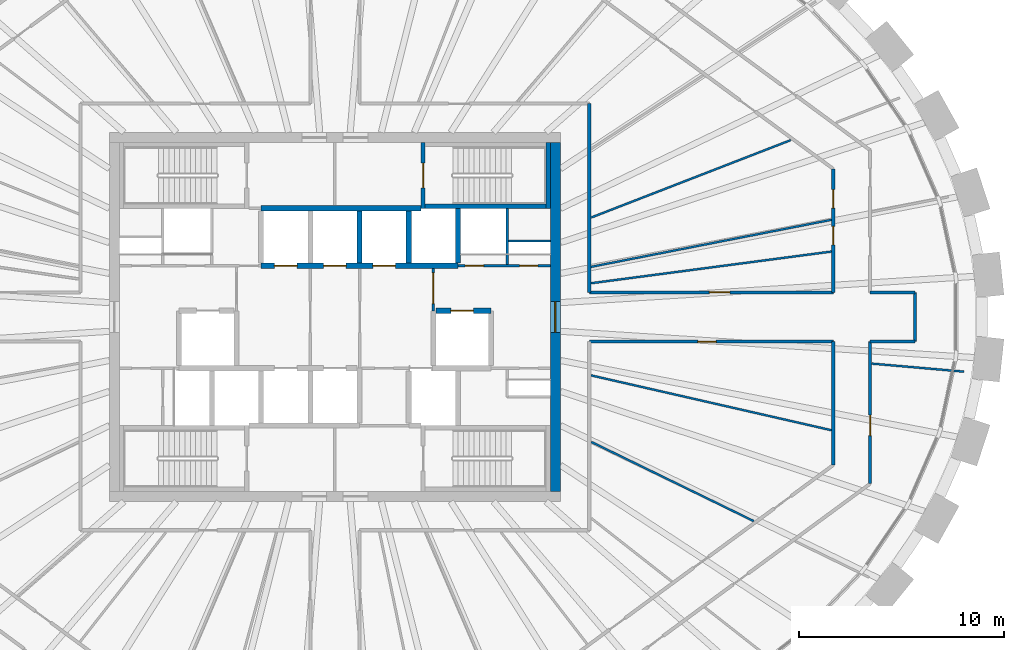
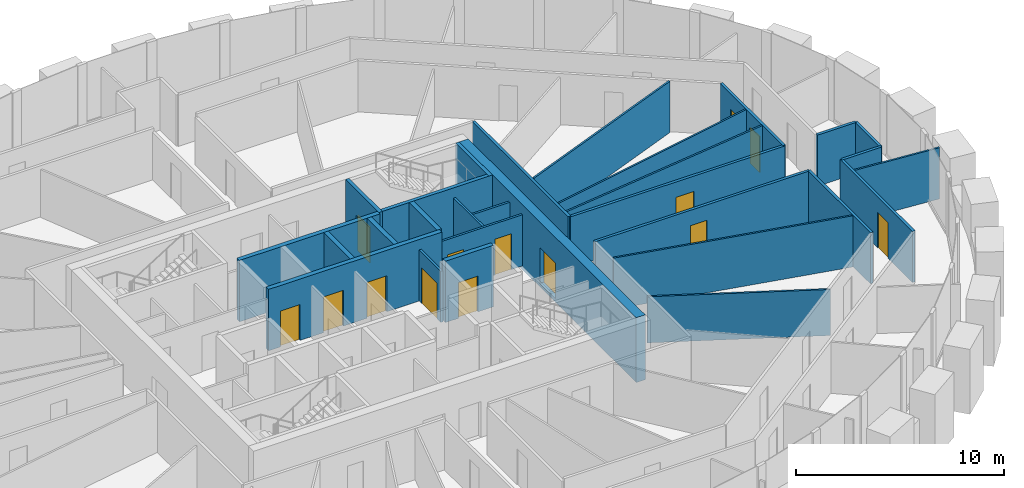
# One storey, part 9 of 12: 29 walls, 14 doors, 14 openings.
"""IFC4 building model written with IfcOpenShell, lengths in metres."""

from ifc_helpers import new_model, si_unit, direction, frame, frame_2d, origin, place, context, subcontext, project, spatial, rectangle, extrude, source, transform, mapped, material, layer, layer_set, type_object, element, fill, save


model = new_model("IFC4")

# Units and contexts
model_context = context("Model", 3, precision=1e-05, world=origin(), true_north=direction((0.0, 1.0)))
body_context = subcontext(model_context, "Body", "Model", "MODEL_VIEW")
ifc_project = project(units=[si_unit("LENGTHUNIT", "METRE"), si_unit("AREAUNIT", "SQUARE_METRE"), si_unit("VOLUMEUNIT", "CUBIC_METRE"), si_unit("PLANEANGLEUNIT", "RADIAN"), si_unit("MASSUNIT", "GRAM", prefix="KILO")], contexts=[model_context])

# Site, building, storey
site_placement = place(None, origin())
site = spatial("IfcSite", under=ifc_project, at=site_placement, CompositionType="ELEMENT")
building_placement = place(site_placement, origin())
building = spatial("IfcBuilding", under=site, at=building_placement, Name="Embergate Tower", CompositionType="ELEMENT")
storey_placement = place(building_placement, frame((0.0, 0.0, 285.10009765625)))
storey = spatial("IfcBuildingStorey", under=building, at=storey_placement, Name="L66", CompositionType="ELEMENT", Elevation=285.10009765625)

# Wall, opening, door
ifc_material_1 = material(Name="Concrete C50", Category="concrete")
ifc_layer_1 = layer(ifc_material_1, 0.5)
ifc_layer_set_1 = layer_set([ifc_layer_1], Name="Concrete C50")
wall_type_1 = type_object("IfcWallType", Name="Core outer wall C50 500", PredefinedType="SHEAR", material=ifc_layer_set_1)
shared_shape_1 = source(origin(), body_context, "Body", "SweptSolid", [
    extrude(rectangle(XDim=17.0, YDim=0.5, at=frame_2d((8.5, 0.0))), origin(), (0.0, 0.0, 1.0), 3.800048828125),
])
wall_1_placement = place(storey_placement, frame((10.75, -8.5, -0.2001953125), z_axis=(0.0, 0.0, 1.0), x_axis=(0.0, 1.0, 0.0)))
wall_1 = element("IfcWall", 1, at=wall_1_placement, inside=storey, type_object=wall_type_1, Name="CW-L66-E", PredefinedType="SHEAR", context=body_context, shape_type="MappedRepresentation", body=[
    mapped(shared_shape_1, transform((0.0, 0.0, 0.0))),
])
shared_shape_2 = source(origin(), body_context, "Body", "SweptSolid", [
    extrude(rectangle(XDim=1.5, YDim=2.10009765625, at=frame_2d((0.75, 1.050048828125))), frame((0.0, 0.260009765625, 0.0), z_axis=(0.0, -1.0, 0.0), x_axis=(1.0, 0.0, 0.0)), (0.0, 0.0, 1.0), 0.52001953125),
])
opening_1_placement = place(wall_1_placement, frame((7.75, 0.0, 0.199951171875)))
opening_1 = element("IfcOpeningElement", 2, at=opening_1_placement, cuts=wall_1, Name="Opening IF-3", PredefinedType="OPENING", context=body_context, shape_type="MappedRepresentation", body=[
    mapped(shared_shape_2, transform((0.0, 0.0, 0.0))),
])
ifc_material_2 = material(Name="Lobby fire door pair 1500")
door_type_1 = type_object("IfcDoorType", Name="Lobby fire door pair 1500", OperationType="DOUBLE_DOOR_SINGLE_SWING", PredefinedType="DOOR", material=ifc_material_2)
shared_shape_3 = source(origin(), body_context, "Body", "SweptSolid", [
    extrude(rectangle(XDim=1.5, YDim=2.10009765625, at=frame_2d((0.75, 1.050048828125))), frame((0.0, 0.02490234375, 0.0), z_axis=(0.0, -1.0, 0.0), x_axis=(1.0, 0.0, 0.0)), (0.0, 0.0, 1.0), 0.050048828125),
])
door_1_placement = place(opening_1_placement, origin())
door_1 = element("IfcDoor", 3, at=door_1_placement, inside=storey, type_object=door_type_1, Name="IF-3 door", OperationType="DOUBLE_DOOR_SINGLE_SWING", OverallHeight=2.10009765625, OverallWidth=1.5, PredefinedType="DOOR", context=body_context, shape_type="MappedRepresentation", body=[
    mapped(shared_shape_3, transform((0.0, 0.0, 0.0))),
])
fill(opening_1, door_1)

ifc_material_3 = material(Name="Core partition blockwork 120")
ifc_layer_2 = layer(ifc_material_3, 0.1201171875)
ifc_layer_set_2 = layer_set([ifc_layer_2], Name="Core partition blockwork 120")
wall_type_2 = type_object("IfcWallType", Name="Core partition blockwork 120", PredefinedType="PARTITIONING", material=ifc_layer_set_2)
shared_shape_4 = source(origin(), body_context, "Body", "SweptSolid", [
    extrude(rectangle(XDim=2.074951171875, YDim=0.1201171875, at=frame_2d((1.03759765625, 0.0))), origin(), (0.0, 0.0, 1.0), 3.0),
])
wall_2_placement = place(storey_placement, frame((4.800048828125, 0.300048828125, 0.0), z_axis=(0.0, 0.0, 1.0), x_axis=(0.0, 1.0, 0.0)))
wall_2 = element("IfcWall", 4, at=wall_2_placement, inside=storey, type_object=wall_type_2, Name="IP-3 wall", PredefinedType="PARTITIONING", context=body_context, shape_type="MappedRepresentation", body=[
    mapped(shared_shape_4, transform((0.0, 0.0, 0.0))),
])
shared_shape_5 = source(origin(), body_context, "Body", "SweptSolid", [
    extrude(rectangle(XDim=1.5, YDim=2.10009765625, at=frame_2d((0.75, 1.050048828125))), frame((0.0, 0.070068359375, 0.0), z_axis=(0.0, -1.0, 0.0), x_axis=(1.0, 0.0, 0.0)), (0.0, 0.0, 1.0), 0.14013671875),
])
opening_2_placement = place(wall_2_placement, frame((0.35009765625, 0.0, 0.0)))
opening_2 = element("IfcOpeningElement", 5, at=opening_2_placement, cuts=wall_2, Name="Opening IF-3", PredefinedType="OPENING", context=body_context, shape_type="MappedRepresentation", body=[
    mapped(shared_shape_5, transform((0.0, 0.0, 0.0))),
])
door_2_placement = place(opening_2_placement, origin())
door_2 = element("IfcDoor", 6, at=door_2_placement, inside=storey, type_object=door_type_1, Name="IF-3 door", OperationType="DOUBLE_DOOR_SINGLE_SWING", OverallHeight=2.10009765625, OverallWidth=1.5, PredefinedType="DOOR", context=body_context, shape_type="MappedRepresentation", body=[
    mapped(shared_shape_3, transform((0.0, 0.0, 0.0))),
])
fill(opening_2, door_2)

# Wall
ifc_layer_3 = layer(ifc_material_1, 0.25)
ifc_layer_set_3 = layer_set([ifc_layer_3], Name="Concrete C50")
wall_type_3 = type_object("IfcWallType", Name="Hoistway wall reinforced concrete 250", PredefinedType="SHEAR", material=ifc_layer_set_3)
shared_shape_6 = source(origin(), body_context, "Body", "SweptSolid", [
    extrude(rectangle(XDim=2.675048828125, YDim=0.25, at=frame_2d((1.33740234375, 0.0))), origin(), (0.0, 0.0, 1.0), 3.599853515625),
])
wall_3_placement = place(storey_placement, frame((6.0, 2.625, 0.0), z_axis=(0.0, 0.0, 1.0), x_axis=(0.0, 1.0, 0.0)))
element("IfcWall", 7, at=wall_3_placement, inside=storey, type_object=wall_type_3, Name="HW-1 wall", PredefinedType="SHEAR", context=body_context, shape_type="MappedRepresentation", body=[
    mapped(shared_shape_6, transform((0.0, 0.0, 0.0))),
])

# Wall, opening, door
wall_4_placement = place(storey_placement, frame((7.60009765625, 0.300048828125, 0.0), z_axis=(0.0, 0.0, 1.0), x_axis=(-1.0, 0.0, 0.0)))
wall_4 = element("IfcWall", 8, at=wall_4_placement, inside=storey, type_object=wall_type_3, Name="HW-1 wall", PredefinedType="SHEAR", context=body_context, shape_type="MappedRepresentation", body=[
    mapped(shared_shape_6, transform((0.0, 0.0, 0.0))),
])
shared_shape_7 = source(origin(), body_context, "Body", "SweptSolid", [
    extrude(rectangle(XDim=1.10009765625, YDim=2.10009765625, at=frame_2d((0.550048828125, 1.050048828125))), frame((0.0, 0.135009765625, 0.0), z_axis=(0.0, -1.0, 0.0), x_axis=(1.0, 0.0, 0.0)), (0.0, 0.0, 1.0), 0.27001953125),
])
opening_3_placement = place(wall_4_placement, frame((0.85009765625, 0.0, 0.0)))
opening_3 = element("IfcOpeningElement", 9, at=opening_3_placement, cuts=wall_4, Name="Opening LD", PredefinedType="OPENING", context=body_context, shape_type="MappedRepresentation", body=[
    mapped(shared_shape_7, transform((0.0, 0.0, 0.0))),
])
ifc_material_4 = material(Name="Landing door sliding 1100")
door_type_2 = type_object("IfcDoorType", Name="Landing door sliding 1100", OperationType="SLIDING_TO_LEFT", PredefinedType="DOOR", material=ifc_material_4)
shared_shape_8 = source(origin(), body_context, "Body", "SweptSolid", [
    extrude(rectangle(XDim=1.10009765625, YDim=2.10009765625, at=frame_2d((0.550048828125, 1.050048828125))), frame((0.0, 0.02490234375, 0.0), z_axis=(0.0, -1.0, 0.0), x_axis=(1.0, 0.0, 0.0)), (0.0, 0.0, 1.0), 0.050048828125),
])
door_3_placement = place(opening_3_placement, origin())
door_3 = element("IfcDoor", 10, at=door_3_placement, inside=storey, type_object=door_type_2, Name="LD door", OperationType="SLIDING_TO_RIGHT", OverallHeight=2.10009765625, OverallWidth=1.10009765625, PredefinedType="DOOR", context=body_context, shape_type="MappedRepresentation", body=[
    mapped(shared_shape_8, transform((0.0, 0.0, 0.0))),
])
fill(opening_3, door_3)

# Walls
ifc_layer_4 = layer(ifc_material_1, 0.199951171875)
ifc_layer_set_4 = layer_set([ifc_layer_4], Name="Concrete C50")
wall_type_4 = type_object("IfcWallType", Name="Stair enclosure wall reinforced concrete 250", PredefinedType="SHEAR", material=ifc_layer_set_4)
shared_shape_9 = source(origin(), body_context, "Body", "SweptSolid", [
    extrude(rectangle(XDim=6.300048828125, YDim=0.199951171875, at=frame_2d((3.14990234375, 0.0))), origin(), (0.0, 0.0, 1.0), 3.599853515625),
])
wall_5_placement = place(storey_placement, frame((10.5, 5.39990234375, 0.0), z_axis=(0.0, 0.0, 1.0), x_axis=(-1.0, 0.0, 0.0)))
element("IfcWall", 11, at=wall_5_placement, inside=storey, type_object=wall_type_4, Name="SE-1 wall", PredefinedType="SHEAR", context=body_context, shape_type="MappedRepresentation", body=[
    mapped(shared_shape_9, transform((0.0, 0.0, 0.0))),
])
shared_shape_10 = source(origin(), body_context, "Body", "SweptSolid", [
    extrude(rectangle(XDim=2.550048828125, YDim=0.25, at=frame_2d((1.27490234375, 0.0))), origin(), (0.0, 0.0, 1.0), 3.599853515625),
])
for number, where, z_axis, x_axis, name in (
    (12, (1.199951171875, 2.625, 0.0), (0.0, 0.0, 1.0), (0.0, 1.0, 0.0), "HW-1 wall"),
    (13, (3.60009765625, 2.625, 0.0), (0.0, 0.0, 1.0), (0.0, 1.0, 0.0), "HW-1 wall"),
):
    element("IfcWall", number, at=place(storey_placement, frame(where, z_axis=z_axis, x_axis=x_axis)), inside=storey, type_object=wall_type_3, Name=name, PredefinedType="SHEAR", context=body_context, shape_type="MappedRepresentation", body=[
        mapped(shared_shape_10, transform((0.0, 0.0, 0.0))),
    ])

# Wall, opening, door
shared_shape_11 = source(origin(), body_context, "Body", "SweptSolid", [
    extrude(rectangle(XDim=3.199951171875, YDim=0.199951171875, at=frame_2d((1.60009765625, 0.0))), origin(), (0.0, 0.0, 1.0), 3.599853515625),
])
wall_6_placement = place(storey_placement, frame((4.300048828125, 8.5, 0.0), z_axis=(0.0, 0.0, 1.0), x_axis=(0.0, -1.0, 0.0)))
wall_6 = element("IfcWall", 14, at=wall_6_placement, inside=storey, type_object=wall_type_4, Name="SE-1 wall", PredefinedType="SHEAR", context=body_context, shape_type="MappedRepresentation", body=[
    mapped(shared_shape_11, transform((0.0, 0.0, 0.0))),
])
shared_shape_12 = source(origin(), body_context, "Body", "SweptSolid", [
    extrude(rectangle(XDim=1.199951171875, YDim=2.10009765625, at=frame_2d((0.60009765625, 1.050048828125))), frame((0.0, 0.10986328125, 0.0), z_axis=(0.0, -1.0, 0.0), x_axis=(1.0, 0.0, 0.0)), (0.0, 0.0, 1.0), 0.219970703125),
])
opening_4_placement = place(wall_6_placement, frame((1.0, 0.0, 0.0)))
opening_4 = element("IfcOpeningElement", 15, at=opening_4_placement, cuts=wall_6, Name="Opening IF-2", PredefinedType="OPENING", context=body_context, shape_type="MappedRepresentation", body=[
    mapped(shared_shape_12, transform((0.0, 0.0, 0.0))),
])
ifc_material_5 = material(Name="Stair enclosure door 1200")
door_type_3 = type_object("IfcDoorType", Name="Stair enclosure door 1200", OperationType="SINGLE_SWING_LEFT", PredefinedType="DOOR", material=ifc_material_5)
shared_shape_13 = source(origin(), body_context, "Body", "SweptSolid", [
    extrude(rectangle(XDim=1.199951171875, YDim=2.10009765625, at=frame_2d((0.60009765625, 1.050048828125))), frame((0.0, 0.02490234375, 0.0), z_axis=(0.0, -1.0, 0.0), x_axis=(1.0, 0.0, 0.0)), (0.0, 0.0, 1.0), 0.050048828125),
])
door_4_placement = place(opening_4_placement, origin())
door_4 = element("IfcDoor", 16, at=door_4_placement, inside=storey, type_object=door_type_3, Name="IF-2 door", OperationType="SINGLE_SWING_LEFT", OverallHeight=2.10009765625, OverallWidth=1.199951171875, PredefinedType="DOOR", context=body_context, shape_type="MappedRepresentation", body=[
    mapped(shared_shape_13, transform((0.0, 0.0, 0.0))),
])
fill(opening_4, door_4)

# Walls
wall_7_placement = place(storey_placement, frame((10.39990234375, 5.300048828125, 0.0), z_axis=(0.0, 0.0, 1.0), x_axis=(0.0, 1.0, 0.0)))
element("IfcWall", 17, at=wall_7_placement, inside=storey, type_object=wall_type_4, Name="SE-1 wall", PredefinedType="SHEAR", context=body_context, shape_type="MappedRepresentation", body=[
    mapped(shared_shape_11, transform((0.0, 0.0, 0.0))),
])
ifc_material_6 = material(Name="Corridor wall dry-lined 150")
ifc_layer_5 = layer(ifc_material_6, 0.14990234375)
ifc_layer_set_5 = layer_set([ifc_layer_5], Name="Corridor wall dry-lined 150")
wall_type_5 = type_object("IfcWallType", Name="Corridor wall dry-lined 150", PredefinedType="PARTITIONING", material=ifc_layer_set_5)
shared_shape_14 = source(origin(), body_context, "Body", "SweptSolid", [
    extrude(rectangle(XDim=2.39990234375, YDim=0.14990234375, at=frame_2d((1.199951171875, 0.0))), origin(), (0.0, 0.0, 1.0), 3.0),
])
wall_8_placement = place(storey_placement, frame((28.27294921875, -1.199951171875, 0.0), z_axis=(0.0, 0.0, 1.0), x_axis=(0.0, 1.0, 0.0)))
element("IfcWall", 18, at=wall_8_placement, inside=storey, type_object=wall_type_5, Name="IP-2 wall", PredefinedType="PARTITIONING", context=body_context, shape_type="MappedRepresentation", body=[
    mapped(shared_shape_14, transform((0.0, 0.0, 0.0))),
])
shared_shape_15 = source(origin(), body_context, "Body", "SweptSolid", [
    extrude(rectangle(XDim=9.199951171875, YDim=0.14990234375, at=frame_2d((4.60009765625, 0.0))), origin(), (0.0, 0.0, 1.0), 3.0),
])
wall_9_placement = place(storey_placement, frame((12.39990234375, 1.199951171875, 0.0), z_axis=(0.0, 0.0, 1.0), x_axis=(0.0, 1.0, 0.0)))
element("IfcWall", 19, at=wall_9_placement, inside=storey, type_object=wall_type_5, Name="IP-2 wall", PredefinedType="PARTITIONING", context=body_context, shape_type="MappedRepresentation", body=[
    mapped(shared_shape_15, transform((0.0, 0.0, 0.0))),
])

# Wall, opening, door
shared_shape_16 = source(origin(), body_context, "Body", "SweptSolid", [
    extrude(rectangle(XDim=6.929931640625, YDim=0.14990234375, at=frame_2d((3.46484375, 0.0))), origin(), (0.0, 0.0, 1.0), 3.0),
])
wall_10_placement = place(storey_placement, frame((26.096923828125, -8.1298828125, 0.0), z_axis=(0.0, 0.0, 1.0), x_axis=(0.0, 1.0, 0.0)))
wall_10 = element("IfcWall", 20, at=wall_10_placement, inside=storey, type_object=wall_type_5, Name="IP-2 wall", PredefinedType="PARTITIONING", context=body_context, shape_type="MappedRepresentation", body=[
    mapped(shared_shape_16, transform((0.0, 0.0, 0.0))),
])
shared_shape_17 = source(origin(), body_context, "Body", "SweptSolid", [
    extrude(rectangle(XDim=1.0, YDim=2.10009765625, at=frame_2d((0.5, 1.050048828125))), frame((0.0, 0.0849609375, 0.0), z_axis=(0.0, -1.0, 0.0), x_axis=(1.0, 0.0, 0.0)), (0.0, 0.0, 1.0), 0.169921875),
])
opening_5_placement = place(wall_10_placement, frame((2.348388671875, 0.0, 0.0)))
opening_5 = element("IfcOpeningElement", 21, at=opening_5_placement, cuts=wall_10, Name="Opening ID-2", PredefinedType="OPENING", context=body_context, shape_type="MappedRepresentation", body=[
    mapped(shared_shape_17, transform((0.0, 0.0, 0.0))),
])
ifc_material_7 = material(Name="Interior door 1000")
door_type_4 = type_object("IfcDoorType", Name="Interior door 1000", OperationType="SINGLE_SWING_LEFT", PredefinedType="DOOR", material=ifc_material_7)
shared_shape_18 = source(origin(), body_context, "Body", "SweptSolid", [
    extrude(rectangle(XDim=1.0, YDim=2.10009765625, at=frame_2d((0.5, 1.050048828125))), frame((0.0, 0.02490234375, 0.0), z_axis=(0.0, -1.0, 0.0), x_axis=(1.0, 0.0, 0.0)), (0.0, 0.0, 1.0), 0.050048828125),
])
door_5_placement = place(opening_5_placement, origin())
door_5 = element("IfcDoor", 22, at=door_5_placement, inside=storey, type_object=door_type_4, Name="ID-2 door", OperationType="SINGLE_SWING_LEFT", OverallHeight=2.10009765625, OverallWidth=1.0, PredefinedType="DOOR", context=body_context, shape_type="MappedRepresentation", body=[
    mapped(shared_shape_18, transform((0.0, 0.0, 0.0))),
])
fill(opening_5, door_5)

# Walls
shared_shape_19 = source(origin(), body_context, "Body", "SweptSolid", [
    extrude(rectangle(XDim=2.176025390625, YDim=0.14990234375, at=frame_2d((1.087890625, 0.0))), origin(), (0.0, 0.0, 1.0), 3.0),
])
for number, where, z_axis, x_axis, name in (
    (23, (26.096923828125, -1.199951171875, 0.0), (0.0, 0.0, 1.0), (1.0, 0.0, 0.0), "IP-2 wall"),
    (24, (28.27294921875, 1.199951171875, 0.0), (0.0, 0.0, 1.0), (-1.0, 0.0, 0.0), "IP-2 wall"),
):
    element("IfcWall", number, at=place(storey_placement, frame(where, z_axis=z_axis, x_axis=x_axis)), inside=storey, type_object=wall_type_5, Name=name, PredefinedType="PARTITIONING", context=body_context, shape_type="MappedRepresentation", body=[
        mapped(shared_shape_19, transform((0.0, 0.0, 0.0))),
    ])

# Wall, openings, doors
shared_shape_20 = source(origin(), body_context, "Body", "SweptSolid", [
    extrude(rectangle(XDim=6.02001953125, YDim=0.14990234375, at=frame_2d((3.010009765625, 0.0))), origin(), (0.0, 0.0, 1.0), 3.0),
])
wall_11_placement = place(storey_placement, frame((24.297119140625, 7.219970703125, 0.0), z_axis=(0.0, 0.0, 1.0), x_axis=(0.0, -1.0, 0.0)))
wall_11 = element("IfcWall", 25, at=wall_11_placement, inside=storey, type_object=wall_type_5, Name="IP-2 wall", PredefinedType="PARTITIONING", context=body_context, shape_type="MappedRepresentation", body=[
    mapped(shared_shape_20, transform((0.0, 0.0, 0.0))),
])
shared_shape_21 = source(origin(), body_context, "Body", "SweptSolid", [
    extrude(rectangle(XDim=0.89990234375, YDim=2.10009765625, at=frame_2d((0.449951171875, 1.050048828125))), frame((0.0, 0.0849609375, 0.0), z_axis=(0.0, -1.0, 0.0), x_axis=(1.0, 0.0, 0.0)), (0.0, 0.0, 1.0), 0.169921875),
])
opening_6_placement = place(wall_11_placement, frame((2.805908203125, 0.0, 0.0)))
opening_6 = element("IfcOpeningElement", 26, at=opening_6_placement, cuts=wall_11, Name="Opening IF-1c", PredefinedType="OPENING", context=body_context, shape_type="MappedRepresentation", body=[
    mapped(shared_shape_21, transform((0.0, 0.0, 0.0))),
])
opening_7_placement = place(wall_11_placement, frame((1.0078125, 0.0, 0.0)))
opening_7 = element("IfcOpeningElement", 27, at=opening_7_placement, cuts=wall_11, Name="Opening IF-1c", PredefinedType="OPENING", context=body_context, shape_type="MappedRepresentation", body=[
    mapped(shared_shape_21, transform((0.0, 0.0, 0.0))),
])
ifc_material_8 = material(Name="Escape fire door 900")
door_type_5 = type_object("IfcDoorType", Name="Escape fire door 900", OperationType="SINGLE_SWING_LEFT", PredefinedType="DOOR", material=ifc_material_8)
shared_shape_22 = source(origin(), body_context, "Body", "SweptSolid", [
    extrude(rectangle(XDim=0.89990234375, YDim=2.10009765625, at=frame_2d((0.449951171875, 1.050048828125))), frame((0.0, 0.02490234375, 0.0), z_axis=(0.0, -1.0, 0.0), x_axis=(1.0, 0.0, 0.0)), (0.0, 0.0, 1.0), 0.050048828125),
])
door_6_placement = place(opening_6_placement, origin())
door_6 = element("IfcDoor", 28, at=door_6_placement, inside=storey, type_object=door_type_5, Name="IF-1 door", OperationType="SINGLE_SWING_RIGHT", OverallHeight=2.10009765625, OverallWidth=0.89990234375, PredefinedType="DOOR", context=body_context, shape_type="MappedRepresentation", body=[
    mapped(shared_shape_22, transform((0.0, 0.0, 0.0))),
])
fill(opening_6, door_6)
door_7_placement = place(opening_7_placement, origin())
door_7 = element("IfcDoor", 29, at=door_7_placement, inside=storey, type_object=door_type_5, Name="IF-1 door", OperationType="SINGLE_SWING_RIGHT", OverallHeight=2.10009765625, OverallWidth=0.89990234375, PredefinedType="DOOR", context=body_context, shape_type="MappedRepresentation", body=[
    mapped(shared_shape_22, transform((0.0, 0.0, 0.0))),
])
fill(opening_7, door_7)

# Wall
wall_12_placement = place(storey_placement, frame((24.297119140625, -1.199951171875, 0.0), z_axis=(0.0, 0.0, 1.0), x_axis=(0.0, -1.0, 0.0)))
element("IfcWall", 30, at=wall_12_placement, inside=storey, type_object=wall_type_5, Name="IP-2 wall", PredefinedType="PARTITIONING", context=body_context, shape_type="MappedRepresentation", body=[
    mapped(shared_shape_20, transform((0.0, 0.0, 0.0))),
])

# Wall, opening, door
shared_shape_23 = source(origin(), body_context, "Body", "SweptSolid", [
    extrude(rectangle(XDim=11.897216796875, YDim=0.14990234375, at=frame_2d((5.94873046875, 0.0))), origin(), (0.0, 0.0, 1.0), 3.0),
])
wall_13_placement = place(storey_placement, frame((24.297119140625, 1.199951171875, 0.0), z_axis=(0.0, 0.0, 1.0), x_axis=(-1.0, 0.0, 0.0)))
wall_13 = element("IfcWall", 31, at=wall_13_placement, inside=storey, type_object=wall_type_5, Name="IP-2 wall", PredefinedType="PARTITIONING", context=body_context, shape_type="MappedRepresentation", body=[
    mapped(shared_shape_23, transform((0.0, 0.0, 0.0))),
])
opening_8_placement = place(wall_13_placement, frame((5.037109375, 0.0, 0.0)))
opening_8 = element("IfcOpeningElement", 32, at=opening_8_placement, cuts=wall_13, Name="Opening ID-2", PredefinedType="OPENING", context=body_context, shape_type="MappedRepresentation", body=[
    mapped(shared_shape_17, transform((0.0, 0.0, 0.0))),
])
door_8_placement = place(opening_8_placement, origin())
door_8 = element("IfcDoor", 33, at=door_8_placement, inside=storey, type_object=door_type_4, Name="ID-2 door", OperationType="SINGLE_SWING_RIGHT", OverallHeight=2.10009765625, OverallWidth=1.0, PredefinedType="DOOR", context=body_context, shape_type="MappedRepresentation", body=[
    mapped(shared_shape_18, transform((0.0, 0.0, 0.0))),
])
fill(opening_8, door_8)

wall_14_placement = place(storey_placement, frame((12.39990234375, -1.199951171875, 0.0), z_axis=(0.0, 0.0, 1.0), x_axis=(1.0, 0.0, 0.0)))
wall_14 = element("IfcWall", 34, at=wall_14_placement, inside=storey, type_object=wall_type_5, Name="IP-2 wall", PredefinedType="PARTITIONING", context=body_context, shape_type="MappedRepresentation", body=[
    mapped(shared_shape_23, transform((0.0, 0.0, 0.0))),
])
opening_9_placement = place(wall_14_placement, frame((5.291015625, 0.0, 0.0)))
opening_9 = element("IfcOpeningElement", 35, at=opening_9_placement, cuts=wall_14, Name="Opening IF-1c", PredefinedType="OPENING", context=body_context, shape_type="MappedRepresentation", body=[
    mapped(shared_shape_21, transform((0.0, 0.0, 0.0))),
])
door_9_placement = place(opening_9_placement, origin())
door_9 = element("IfcDoor", 36, at=door_9_placement, inside=storey, type_object=door_type_5, Name="IF-1 door", OperationType="SINGLE_SWING_LEFT", OverallHeight=2.10009765625, OverallWidth=0.89990234375, PredefinedType="DOOR", context=body_context, shape_type="MappedRepresentation", body=[
    mapped(shared_shape_22, transform((0.0, 0.0, 0.0))),
])
fill(opening_9, door_9)

# Walls
ifc_material_9 = material(Name="Partition dry-lined 100")
ifc_layer_6 = layer(ifc_material_9, 0.10009765625)
ifc_layer_set_6 = layer_set([ifc_layer_6], Name="Partition dry-lined 100")
wall_type_6 = type_object("IfcWallType", Name="Partition dry-lined 100", PredefinedType="PARTITIONING", material=ifc_layer_set_6)
shared_shape_24 = source(origin(), body_context, "Body", "SweptSolid", [
    extrude(rectangle(XDim=8.8095703125, YDim=0.10009765625, at=frame_2d((4.40478515625, 0.0))), origin(), (0.0, 0.0, 1.0), 2.699951171875),
])
wall_15_placement = place(storey_placement, frame((12.4970703125, -6.092041015625, 0.0), z_axis=(0.0, 0.0, 1.0), x_axis=(0.898904238301, -0.438145147599, 0.0)))
element("IfcWall", 37, at=wall_15_placement, inside=storey, type_object=wall_type_6, Name="IP-1 wall", PredefinedType="PARTITIONING", context=body_context, shape_type="MappedRepresentation", body=[
    mapped(shared_shape_24, transform((0.0, 0.0, 0.0))),
])
shared_shape_25 = source(origin(), body_context, "Body", "SweptSolid", [
    extrude(rectangle(XDim=4.510009765625, YDim=0.10009765625, at=frame_2d((2.2548828125, 0.0))), origin(), (0.0, 0.0, 1.0), 3.0),
])
wall_16_placement = place(storey_placement, frame((30.6650390625, -2.6650390625, 0.0), z_axis=(0.0, 0.0, 1.0), x_axis=(-0.996232458599, 0.086723055952, 0.0)))
element("IfcWall", 38, at=wall_16_placement, inside=storey, type_object=wall_type_6, Name="IP-1 wall", PredefinedType="PARTITIONING", context=body_context, shape_type="MappedRepresentation", body=[
    mapped(shared_shape_25, transform((0.0, 0.0, 0.0))),
])
shared_shape_26 = source(origin(), body_context, "Body", "SweptSolid", [
    extrude(rectangle(XDim=11.83447265625, YDim=0.10009765625, at=frame_2d((5.917236328125, 0.0))), origin(), (0.0, 0.0, 1.0), 3.0),
])
wall_17_placement = place(storey_placement, frame((12.48193359375, 1.64404296875, 0.0), z_axis=(0.0, 0.0, 1.0), x_axis=(0.991431741397, 0.130625809662, 0.0)))
element("IfcWall", 39, at=wall_17_placement, inside=storey, type_object=wall_type_6, Name="IP-1 wall", PredefinedType="PARTITIONING", context=body_context, shape_type="MappedRepresentation", body=[
    mapped(shared_shape_26, transform((0.0, 0.0, 0.0))),
])
ifc_material_10 = material(Name="Partition dry-lined 100 wet")
ifc_layer_7 = layer(ifc_material_10, 0.10009765625)
ifc_layer_set_7 = layer_set([ifc_layer_7], Name="Partition dry-lined 100 wet")
wall_type_7 = type_object("IfcWallType", Name="Partition dry-lined 100 wet", PredefinedType="PLUMBINGWALL", material=ifc_layer_set_7)
shared_shape_27 = source(origin(), body_context, "Body", "SweptSolid", [
    extrude(rectangle(XDim=11.94921875, YDim=0.10009765625, at=frame_2d((5.974609375, 0.0))), origin(), (0.0, 0.0, 1.0), 3.0),
])
wall_18_placement = place(storey_placement, frame((12.485107421875, 2.443115234375, 0.0), z_axis=(0.0, 0.0, 1.0), x_axis=(0.981384033043, 0.192055668199, 0.0)))
element("IfcWall", 40, at=wall_18_placement, inside=storey, type_object=wall_type_7, Name="IP-1 wall", PredefinedType="PLUMBINGWALL", context=body_context, shape_type="MappedRepresentation", body=[
    mapped(shared_shape_27, transform((0.0, 0.0, 0.0))),
])
shared_shape_28 = source(origin(), body_context, "Body", "SweptSolid", [
    extrude(rectangle(XDim=12.026123046875, YDim=0.10009765625, at=frame_2d((6.01318359375, 0.0))), origin(), (0.0, 0.0, 1.0), 3.0),
])
wall_19_placement = place(storey_placement, frame((24.2109375, -5.52294921875, 0.0), z_axis=(0.0, 0.0, 1.0), x_axis=(-0.974947255079, 0.222436170201, 0.0)))
element("IfcWall", 41, at=wall_19_placement, inside=storey, type_object=wall_type_6, Name="IP-1 wall", PredefinedType="PARTITIONING", context=body_context, shape_type="MappedRepresentation", body=[
    mapped(shared_shape_28, transform((0.0, 0.0, 0.0))),
])
shared_shape_29 = source(origin(), body_context, "Body", "SweptSolid", [
    extrude(rectangle(XDim=10.432373046875, YDim=0.10009765625, at=frame_2d((5.21630859375, 0.0))), origin(), (0.0, 0.0, 1.0), 3.0),
])
wall_20_placement = place(storey_placement, frame((12.492919921875, 4.847900390625, 0.0), z_axis=(0.0, 0.0, 1.0), x_axis=(0.932301248235, 0.361682709761, 0.0)))
element("IfcWall", 42, at=wall_20_placement, inside=storey, type_object=wall_type_7, Name="IP-1 wall", PredefinedType="PLUMBINGWALL", context=body_context, shape_type="MappedRepresentation", body=[
    mapped(shared_shape_29, transform((0.0, 0.0, 0.0))),
])
shared_shape_30 = source(origin(), body_context, "Body", "SweptSolid", [
    extrude(rectangle(XDim=2.738037109375, YDim=0.1201171875, at=frame_2d((1.369140625, 0.0))), origin(), (0.0, 0.0, 1.0), 3.0),
])
wall_21_placement = place(storey_placement, frame((8.39990234375, 2.56005859375, 0.0), z_axis=(0.0, 0.0, 1.0), x_axis=(0.0, 1.0, 0.0)))
element("IfcWall", 43, at=wall_21_placement, inside=storey, type_object=wall_type_2, Name="IP-3 wall", PredefinedType="PARTITIONING", context=body_context, shape_type="MappedRepresentation", body=[
    mapped(shared_shape_30, transform((0.0, 0.0, 0.0))),
])

# Wall, openings, doors
shared_shape_31 = source(origin(), body_context, "Body", "SweptSolid", [
    extrude(rectangle(XDim=9.60009765625, YDim=0.25, at=frame_2d((4.800048828125, 0.0))), origin(), (0.0, 0.0, 1.0), 3.599853515625),
])
wall_22_placement = place(storey_placement, frame((-3.60009765625, 2.5, 0.0), z_axis=(0.0, 0.0, 1.0), x_axis=(1.0, 0.0, 0.0)))
wall_22 = element("IfcWall", 44, at=wall_22_placement, inside=storey, type_object=wall_type_3, Name="HW-1 wall", PredefinedType="SHEAR", context=body_context, shape_type="MappedRepresentation", body=[
    mapped(shared_shape_31, transform((0.0, 0.0, 0.0))),
])
opening_10_placement = place(wall_22_placement, frame((0.64990234375, 0.0, 0.0)))
opening_10 = element("IfcOpeningElement", 45, at=opening_10_placement, cuts=wall_22, Name="Opening LD", PredefinedType="OPENING", context=body_context, shape_type="MappedRepresentation", body=[
    mapped(shared_shape_7, transform((0.0, 0.0, 0.0))),
])
opening_11_placement = place(wall_22_placement, frame((3.050048828125, 0.0, 0.0)))
opening_11 = element("IfcOpeningElement", 46, at=opening_11_placement, cuts=wall_22, Name="Opening LD", PredefinedType="OPENING", context=body_context, shape_type="MappedRepresentation", body=[
    mapped(shared_shape_7, transform((0.0, 0.0, 0.0))),
])
opening_12_placement = place(wall_22_placement, frame((5.449951171875, 0.0, 0.0)))
opening_12 = element("IfcOpeningElement", 47, at=opening_12_placement, cuts=wall_22, Name="Opening LD", PredefinedType="OPENING", context=body_context, shape_type="MappedRepresentation", body=[
    mapped(shared_shape_7, transform((0.0, 0.0, 0.0))),
])
door_10_placement = place(opening_10_placement, origin())
door_10 = element("IfcDoor", 48, at=door_10_placement, inside=storey, type_object=door_type_2, Name="LD door", OperationType="SLIDING_TO_RIGHT", OverallHeight=2.10009765625, OverallWidth=1.10009765625, PredefinedType="DOOR", context=body_context, shape_type="MappedRepresentation", body=[
    mapped(shared_shape_8, transform((0.0, 0.0, 0.0))),
])
fill(opening_10, door_10)
door_11_placement = place(opening_11_placement, origin())
door_11 = element("IfcDoor", 49, at=door_11_placement, inside=storey, type_object=door_type_2, Name="LD door", OperationType="SLIDING_TO_LEFT", OverallHeight=2.10009765625, OverallWidth=1.10009765625, PredefinedType="DOOR", context=body_context, shape_type="MappedRepresentation", body=[
    mapped(shared_shape_8, transform((0.0, 0.0, 0.0))),
])
fill(opening_11, door_11)
door_12_placement = place(opening_12_placement, origin())
door_12 = element("IfcDoor", 50, at=door_12_placement, inside=storey, type_object=door_type_2, Name="LD door", OperationType="SLIDING_TO_LEFT", OverallHeight=2.10009765625, OverallWidth=1.10009765625, PredefinedType="DOOR", context=body_context, shape_type="MappedRepresentation", body=[
    mapped(shared_shape_8, transform((0.0, 0.0, 0.0))),
])
fill(opening_12, door_12)

# Wall
shared_shape_32 = source(origin(), body_context, "Body", "SweptSolid", [
    extrude(rectangle(XDim=7.800048828125, YDim=0.25, at=frame_2d((3.89990234375, 0.0))), origin(), (0.0, 0.0, 1.0), 3.599853515625),
])
wall_23_placement = place(storey_placement, frame((4.199951171875, 5.300048828125, 0.0), z_axis=(0.0, 0.0, 1.0), x_axis=(-1.0, 0.0, 0.0)))
element("IfcWall", 51, at=wall_23_placement, inside=storey, type_object=wall_type_3, Name="HW-1 wall", PredefinedType="SHEAR", context=body_context, shape_type="MappedRepresentation", body=[
    mapped(shared_shape_32, transform((0.0, 0.0, 0.0))),
])

# Wall, openings, doors
shared_shape_33 = source(origin(), body_context, "Body", "SweptSolid", [
    extrude(rectangle(XDim=4.5, YDim=0.1201171875, at=frame_2d((2.25, 0.0))), origin(), (0.0, 0.0, 1.0), 3.0),
])
wall_24_placement = place(storey_placement, frame((6.0, 2.5, 0.0), z_axis=(0.0, 0.0, 1.0), x_axis=(1.0, 0.0, 0.0)))
wall_24 = element("IfcWall", 52, at=wall_24_placement, inside=storey, type_object=wall_type_2, Name="IP-3 wall", PredefinedType="PARTITIONING", context=body_context, shape_type="MappedRepresentation", body=[
    mapped(shared_shape_33, transform((0.0, 0.0, 0.0))),
])
shared_shape_34 = source(origin(), body_context, "Body", "SweptSolid", [
    extrude(rectangle(XDim=0.89990234375, YDim=2.10009765625, at=frame_2d((0.449951171875, 1.050048828125))), frame((0.0, 0.070068359375, 0.0), z_axis=(0.0, -1.0, 0.0), x_axis=(1.0, 0.0, 0.0)), (0.0, 0.0, 1.0), 0.14013671875),
])
opening_13_placement = place(wall_24_placement, frame((0.35009765625, 0.0, 0.0)))
opening_13 = element("IfcOpeningElement", 53, at=opening_13_placement, cuts=wall_24, Name="Opening ID-1", PredefinedType="OPENING", context=body_context, shape_type="MappedRepresentation", body=[
    mapped(shared_shape_34, transform((0.0, 0.0, 0.0))),
])
opening_14_placement = place(wall_24_placement, frame((3.0, 0.0, 0.0)))
opening_14 = element("IfcOpeningElement", 54, at=opening_14_placement, cuts=wall_24, Name="Opening ID-1", PredefinedType="OPENING", context=body_context, shape_type="MappedRepresentation", body=[
    mapped(shared_shape_34, transform((0.0, 0.0, 0.0))),
])
ifc_material_11 = material(Name="Interior door 900")
door_type_6 = type_object("IfcDoorType", Name="Interior door 900", OperationType="SINGLE_SWING_LEFT", PredefinedType="DOOR", material=ifc_material_11)
door_13_placement = place(opening_13_placement, origin())
door_13 = element("IfcDoor", 55, at=door_13_placement, inside=storey, type_object=door_type_6, Name="ID-1 door", OperationType="SINGLE_SWING_LEFT", OverallHeight=2.10009765625, OverallWidth=0.89990234375, PredefinedType="DOOR", context=body_context, shape_type="MappedRepresentation", body=[
    mapped(shared_shape_22, transform((0.0, 0.0, 0.0))),
])
fill(opening_13, door_13)
door_14_placement = place(opening_14_placement, origin())
door_14 = element("IfcDoor", 56, at=door_14_placement, inside=storey, type_object=door_type_6, Name="ID-1 door", OperationType="SINGLE_SWING_RIGHT", OverallHeight=2.10009765625, OverallWidth=0.89990234375, PredefinedType="DOOR", context=body_context, shape_type="MappedRepresentation", body=[
    mapped(shared_shape_22, transform((0.0, 0.0, 0.0))),
])
fill(opening_14, door_14)

# Wall
shared_shape_35 = source(origin(), body_context, "Body", "SweptSolid", [
    extrude(rectangle(XDim=2.0380859375, YDim=0.1201171875, at=frame_2d((1.01904296875, 0.0))), origin(), (0.0, 0.0, 1.0), 3.0),
])
wall_25_placement = place(storey_placement, frame((10.5, 3.7041015625, 0.0), z_axis=(0.0, 0.0, 1.0), x_axis=(-1.0, 0.0, 0.0)))
element("IfcWall", 57, at=wall_25_placement, inside=storey, type_object=wall_type_2, Name="IP-3 wall", PredefinedType="PARTITIONING", context=body_context, shape_type="MappedRepresentation", body=[
    mapped(shared_shape_35, transform((0.0, 0.0, 0.0))),
])

save(model, "model.ifc")
